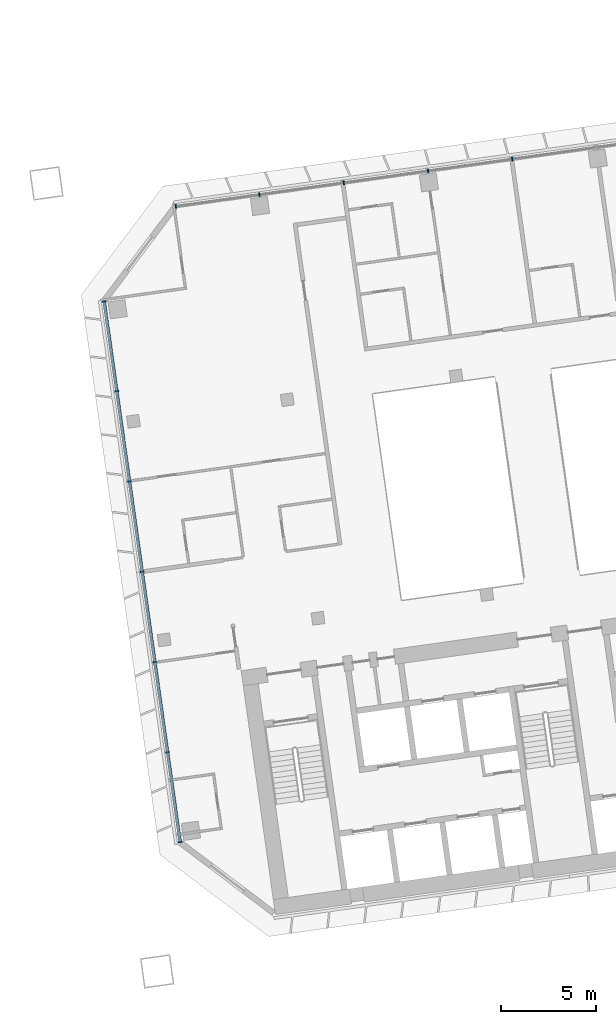
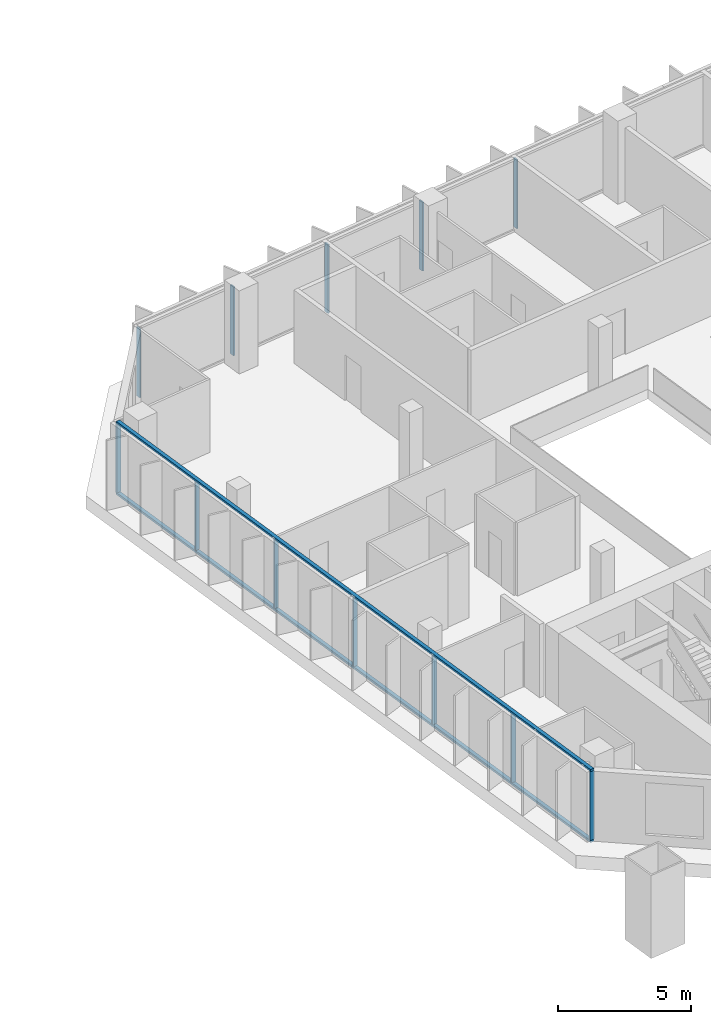
# One storey, part 7 of 25: 14 members, 2 elements without a shape of their own.
"""IFC4 building model written with IfcOpenShell, lengths in metres."""

from ifc_helpers import new_model, si_unit, direction, frame, origin, origin_2d, place, context, subcontext, project, spatial, rectangle, extrude, material, material_profile, profile_set, type_object, element, aggregate, save


model = new_model("IFC4")

# Units and contexts
model_context = context("Model", 3, precision=1e-05, world=origin(), true_north=direction((0.0, 1.0)))
body_context = subcontext(model_context, "Body", "Model", "MODEL_VIEW")
ifc_project = project(units=[si_unit("LENGTHUNIT", "METRE"), si_unit("AREAUNIT", "SQUARE_METRE"), si_unit("VOLUMEUNIT", "CUBIC_METRE"), si_unit("PLANEANGLEUNIT", "RADIAN"), si_unit("MASSUNIT", "GRAM", prefix="KILO")], contexts=[model_context])

# Site, building, storey
site_placement = place(None, origin())
site = spatial("IfcSite", under=ifc_project, at=site_placement, CompositionType="ELEMENT")
building_placement = place(site_placement, origin())
building = spatial("IfcBuilding", under=site, at=building_placement, Name="Mirante Cascada Hotel Towers", CompositionType="ELEMENT")
storey_placement = place(building_placement, frame((0.0, 0.0, 102.5)))
storey = spatial("IfcBuildingStorey", under=building, at=storey_placement, Name="L22", CompositionType="ELEMENT", Elevation=102.5)

# Curtain wall, members
ifc_material_1 = material(Name="Aluminium mullion and transom frame with clear laminated glass", Category="aluminium")
curtain_wall_type_1 = type_object("IfcCurtainWallType", Name="Ribbon curtain wall ECW1", PredefinedType="NOTDEFINED", material=ifc_material_1)
curtain_wall_1_placement = place(storey_placement, origin())
curtain_wall_1 = element("IfcCurtainWall", 1, at=curtain_wall_1_placement, inside=storey, type_object=curtain_wall_type_1, Name="Front ribbon wall T2 L22", PredefinedType="NOTDEFINED")
ifc_material_2 = material(Name="Anodised aluminium extrusion", Category="aluminium")
ifc_material_profile_1 = material_profile(ifc_material_2, rectangle(XDim=0.2, YDim=0.065, at=origin_2d()), Name="ECW1 MULLION 65x200")
ifc_profile_set_1 = profile_set([ifc_material_profile_1], Name="Anodised aluminium extrusion")
member_type_1 = type_object("IfcMemberType", Name="ECW1 mullion 65x200", PredefinedType="MULLION", material=ifc_profile_set_1)
member_1_placement = place(storey_placement, frame((49.684, 19.8017, 0.1), z_axis=(0.0, 0.0, 1.0), x_axis=(0.1391731, -0.9902681, 0.0)))
member_1 = element("IfcMember", 2, at=member_1_placement, type_object=member_type_1, Name="ECW1 mullion 11", PredefinedType="MULLION", context=body_context, shape_type="SweptSolid", body=[
    extrude(rectangle(XDim=0.2, YDim=0.065, at=origin_2d()), origin(), (0.0, 0.0, 1.0), 3.15),
])
member_2_placement = place(storey_placement, frame((45.2366, 19.1766, 0.1), z_axis=(0.0, 0.0, 1.0), x_axis=(0.1391731, -0.9902681, 0.0)))
member_2 = element("IfcMember", 3, at=member_2_placement, type_object=member_type_1, Name="ECW1 mullion 12", PredefinedType="MULLION", context=body_context, shape_type="SweptSolid", body=[
    extrude(rectangle(XDim=0.2, YDim=0.065, at=origin_2d()), origin(), (0.0, 0.0, 1.0), 3.15),
])
member_3_placement = place(storey_placement, frame((40.7892, 18.5516, 0.1), z_axis=(0.0, 0.0, 1.0), x_axis=(0.1391731, -0.9902681, 0.0)))
member_3 = element("IfcMember", 4, at=member_3_placement, type_object=member_type_1, Name="ECW1 mullion 13", PredefinedType="MULLION", context=body_context, shape_type="SweptSolid", body=[
    extrude(rectangle(XDim=0.2, YDim=0.065, at=origin_2d()), origin(), (0.0, 0.0, 1.0), 3.15),
])
member_4_placement = place(storey_placement, frame((36.3417, 17.9265, 0.1), z_axis=(0.0, 0.0, 1.0), x_axis=(0.1391731, -0.9902681, 0.0)))
member_4 = element("IfcMember", 5, at=member_4_placement, type_object=member_type_1, Name="ECW1 mullion 14", PredefinedType="MULLION", context=body_context, shape_type="SweptSolid", body=[
    extrude(rectangle(XDim=0.2, YDim=0.065, at=origin_2d()), origin(), (0.0, 0.0, 1.0), 3.15),
])
member_5_placement = place(storey_placement, frame((31.9265, 17.306, 0.1), z_axis=(0.0, 0.0, 1.0), x_axis=(0.1391731, -0.9902681, 0.0)))
member_5 = element("IfcMember", 6, at=member_5_placement, type_object=member_type_1, Name="ECW1 mullion 15", PredefinedType="MULLION", context=body_context, shape_type="SweptSolid", body=[
    extrude(rectangle(XDim=0.2, YDim=0.065, at=origin_2d()), origin(), (0.0, 0.0, 1.0), 3.15),
])
aggregate(curtain_wall_1, [member_1, member_2, member_3, member_4, member_5])

ifc_material_3 = material(Name="Aluminium mullion and transom frame with clear laminated glass", Category="aluminium")
curtain_wall_type_2 = type_object("IfcCurtainWallType", Name="End ribbon curtain wall ECW2", PredefinedType="NOTDEFINED", material=ifc_material_3)
curtain_wall_2_placement = place(storey_placement, origin())
curtain_wall_2 = element("IfcCurtainWall", 7, at=curtain_wall_2_placement, inside=storey, type_object=curtain_wall_type_2, Name="Inner end wall T2 L22", PredefinedType="NOTDEFINED")
ifc_material_4 = material(Name="Anodised aluminium extrusion", Category="aluminium")
ifc_material_profile_2 = material_profile(ifc_material_4, rectangle(XDim=0.2, YDim=0.065, at=origin_2d()), Name="ECW2 MULLION 65x200")
ifc_profile_set_2 = profile_set([ifc_material_profile_2], Name="Anodised aluminium extrusion")
member_type_2 = type_object("IfcMemberType", Name="ECW2 mullion 65x200", PredefinedType="MULLION", material=ifc_profile_set_2)
member_6_placement = place(storey_placement, frame((28.1437, 12.2861, 0.1), z_axis=(0.0, 0.0, 1.0), x_axis=(0.9902681, 0.1391731, 0.0)))
member_6 = element("IfcMember", 8, at=member_6_placement, type_object=member_type_2, Name="ECW2 mullion 1", PredefinedType="MULLION", context=body_context, shape_type="SweptSolid", body=[
    extrude(rectangle(XDim=0.2, YDim=0.065, at=origin_2d()), origin(), (0.0, 0.0, 1.0), 3.15),
])
member_7_placement = place(storey_placement, frame((28.809, 7.5524, 0.1), z_axis=(0.0, 0.0, 1.0), x_axis=(0.9902681, 0.1391731, 0.0)))
member_7 = element("IfcMember", 9, at=member_7_placement, type_object=member_type_2, Name="ECW2 mullion 2", PredefinedType="MULLION", context=body_context, shape_type="SweptSolid", body=[
    extrude(rectangle(XDim=0.2, YDim=0.065, at=origin_2d()), origin(), (0.0, 0.0, 1.0), 3.15),
])
member_8_placement = place(storey_placement, frame((29.4788, 2.7867, 0.1), z_axis=(0.0, 0.0, 1.0), x_axis=(0.9902681, 0.1391731, 0.0)))
member_8 = element("IfcMember", 10, at=member_8_placement, type_object=member_type_2, Name="ECW2 mullion 3", PredefinedType="MULLION", context=body_context, shape_type="SweptSolid", body=[
    extrude(rectangle(XDim=0.2, YDim=0.065, at=origin_2d()), origin(), (0.0, 0.0, 1.0), 3.15),
])
member_9_placement = place(storey_placement, frame((30.1485, -1.9791, 0.1), z_axis=(0.0, 0.0, 1.0), x_axis=(0.9902681, 0.1391731, 0.0)))
member_9 = element("IfcMember", 11, at=member_9_placement, type_object=member_type_2, Name="ECW2 mullion 4", PredefinedType="MULLION", context=body_context, shape_type="SweptSolid", body=[
    extrude(rectangle(XDim=0.2, YDim=0.065, at=origin_2d()), origin(), (0.0, 0.0, 1.0), 3.15),
])
member_10_placement = place(storey_placement, frame((30.8183, -6.7449, 0.1), z_axis=(0.0, 0.0, 1.0), x_axis=(0.9902681, 0.1391731, 0.0)))
member_10 = element("IfcMember", 12, at=member_10_placement, type_object=member_type_2, Name="ECW2 mullion 5", PredefinedType="MULLION", context=body_context, shape_type="SweptSolid", body=[
    extrude(rectangle(XDim=0.2, YDim=0.065, at=origin_2d()), origin(), (0.0, 0.0, 1.0), 3.15),
])
member_11_placement = place(storey_placement, frame((31.4881, -11.5107, 0.1), z_axis=(0.0, 0.0, 1.0), x_axis=(0.9902681, 0.1391731, 0.0)))
member_11 = element("IfcMember", 13, at=member_11_placement, type_object=member_type_2, Name="ECW2 mullion 6", PredefinedType="MULLION", context=body_context, shape_type="SweptSolid", body=[
    extrude(rectangle(XDim=0.2, YDim=0.065, at=origin_2d()), origin(), (0.0, 0.0, 1.0), 3.15),
])
member_12_placement = place(storey_placement, frame((32.1534, -16.2443, 0.1), z_axis=(0.0, 0.0, 1.0), x_axis=(0.9902681, 0.1391731, 0.0)))
member_12 = element("IfcMember", 14, at=member_12_placement, type_object=member_type_2, Name="ECW2 mullion 7", PredefinedType="MULLION", context=body_context, shape_type="SweptSolid", body=[
    extrude(rectangle(XDim=0.2, YDim=0.065, at=origin_2d()), origin(), (0.0, 0.0, 1.0), 3.15),
])
ifc_material_5 = material(Name="Anodised aluminium extrusion", Category="aluminium")
ifc_material_profile_3 = material_profile(ifc_material_5, rectangle(XDim=0.16, YDim=0.1, at=origin_2d()), Name="ECW2 TRANSOM 100x160")
ifc_profile_set_3 = profile_set([ifc_material_profile_3], Name="Anodised aluminium extrusion")
member_type_3 = type_object("IfcMemberType", Name="ECW2 transom 100x160", PredefinedType="USERDEFINED", material=ifc_profile_set_3)
member_13_placement = place(storey_placement, frame((28.1392, 12.3182, 0.05), z_axis=(0.1391723, -0.9902682, 0.0), x_axis=(0.9902682, 0.1391723, 0.0)))
member_13 = element("IfcMember", 15, at=member_13_placement, type_object=member_type_3, Name="ECW2 sill transom", ObjectType="TRANSOM", PredefinedType="USERDEFINED", context=body_context, shape_type="SweptSolid", body=[
    extrude(rectangle(XDim=0.16, YDim=0.1, at=origin_2d()), origin(), (0.0, 0.0, 1.0), 28.8757),
])
member_14_placement = place(storey_placement, frame((28.1392, 12.3182, 3.3), z_axis=(0.1391723, -0.9902682, 0.0), x_axis=(0.9902682, 0.1391723, 0.0)))
member_14 = element("IfcMember", 16, at=member_14_placement, type_object=member_type_3, Name="ECW2 head transom", ObjectType="TRANSOM", PredefinedType="USERDEFINED", context=body_context, shape_type="SweptSolid", body=[
    extrude(rectangle(XDim=0.16, YDim=0.1, at=origin_2d()), origin(), (0.0, 0.0, 1.0), 28.8757),
])
aggregate(curtain_wall_2, [member_13, member_14, member_6, member_7, member_8, member_9, member_10, member_11, member_12])

save(model, "model.ifc")
